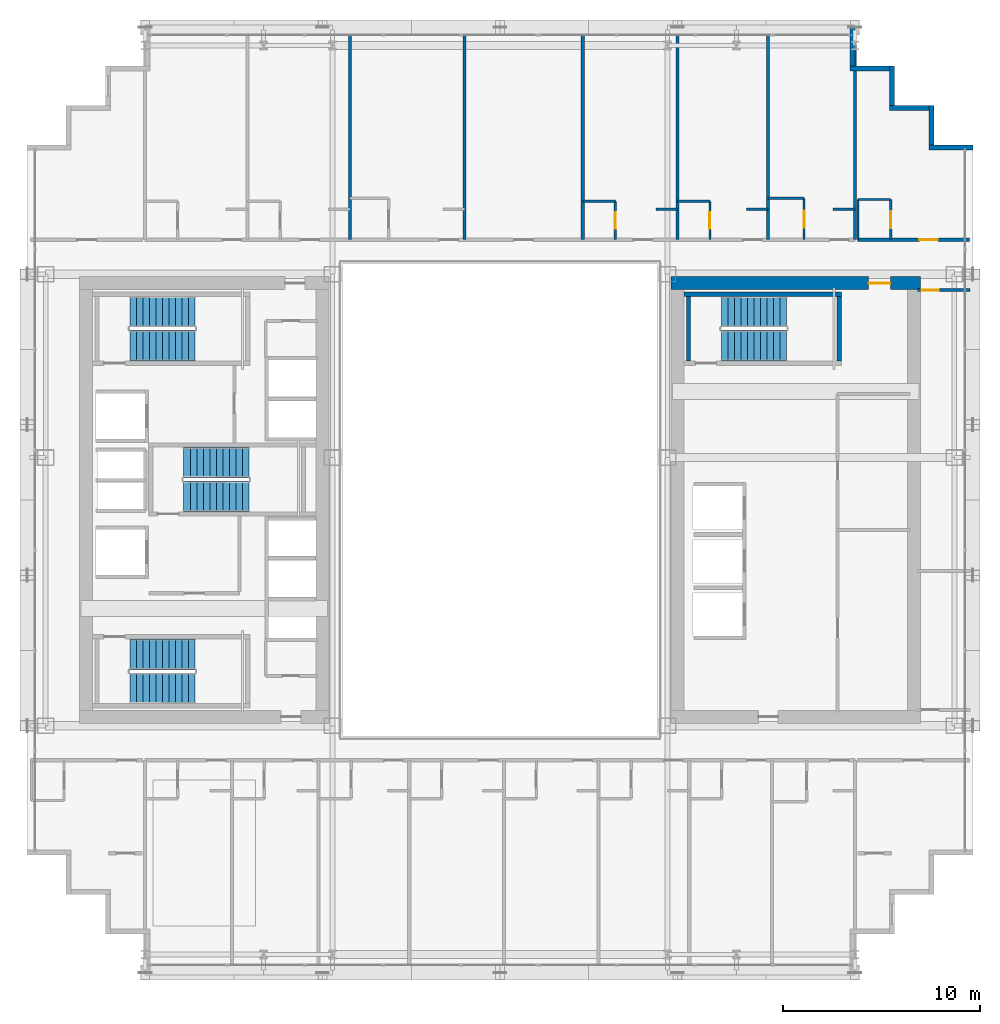
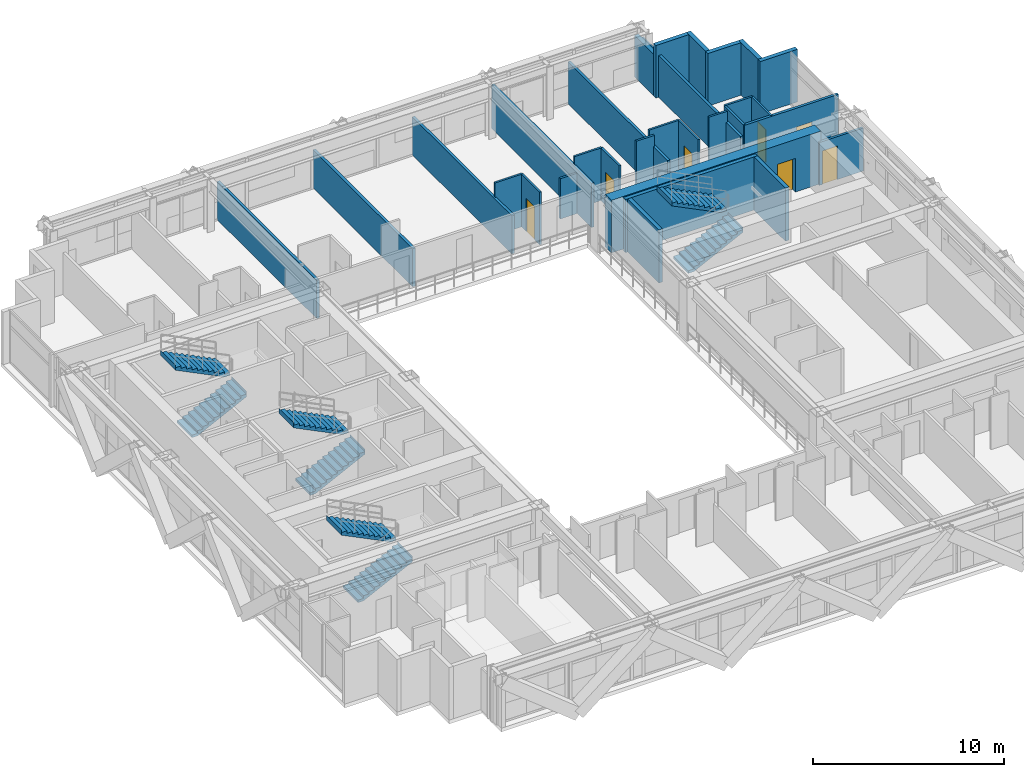
# One storey, part 31 of 35: 30 walls, 8 stair flights, 7 doors, 7 openings, 4 elements without a shape of their own.
"""IFC4 building model written with IfcOpenShell, lengths in metres."""

from ifc_helpers import new_model, si_unit, direction, frame, frame_2d, origin, place, context, subcontext, project, spatial, polyline, rectangle, outline, extrude, source, transform, mapped, material, layer, layer_set, type_object, element, fill, aggregate, save


model = new_model("IFC4")

# Units and contexts
model_context = context("Model", 3, precision=1e-05, world=origin(), true_north=direction((0.0, 1.0)))
body_context = subcontext(model_context, "Body", "Model", "MODEL_VIEW")
ifc_project = project(units=[si_unit("LENGTHUNIT", "METRE"), si_unit("AREAUNIT", "SQUARE_METRE"), si_unit("VOLUMEUNIT", "CUBIC_METRE"), si_unit("PLANEANGLEUNIT", "RADIAN"), si_unit("MASSUNIT", "GRAM", prefix="KILO")], contexts=[model_context])

# Site, building, storey
site_placement = place(None, origin())
site = spatial("IfcSite", under=ifc_project, at=site_placement, CompositionType="ELEMENT")
building_placement = place(site_placement, origin())
building = spatial("IfcBuilding", under=site, at=building_placement, Name="Ocotamira Hotel", CompositionType="ELEMENT")
storey_placement = place(building_placement, frame((0.0, 0.0, 100.800048828125)))
storey = spatial("IfcBuildingStorey", under=building, at=storey_placement, Name="L24", CompositionType="ELEMENT", Elevation=100.800048828125)

# Wall, opening, door
ifc_material_1 = material(Name="Concrete C60/75", Category="concrete")
ifc_layer_1 = layer(ifc_material_1, 0.64990234375)
ifc_layer_set_1 = layer_set([ifc_layer_1], Name="Concrete C60/75")
wall_type_1 = type_object("IfcWallType", Name="WL-CORE-650", PredefinedType="SHEAR", material=ifc_layer_set_1)
wall_1_placement = place(storey_placement, frame((40.675048828125, 37.0, 0.0), z_axis=(0.0, 0.0, 1.0), x_axis=(1.0, 0.0, 0.0)))
wall_1 = element("IfcWall", 1, at=wall_1_placement, inside=storey, type_object=wall_type_1, Name="L24 Shear Core Wall ECORE-N", PredefinedType="SHEAR", context=body_context, shape_type="SweptSolid", body=[
    extrude(rectangle(XDim=12.64990234375, YDim=0.64990234375, at=frame_2d((6.324951171875, 0.0))), origin(), (0.0, 0.0, 1.0), 3.35986328125),
])
opening_1_placement = place(wall_1_placement, frame((10.02490234375, 0.0, 0.0)))
opening_1 = element("IfcOpeningElement", 2, at=opening_1_placement, cuts=wall_1, Name="Opening D-FR1", PredefinedType="OPENING", context=body_context, shape_type="SweptSolid", body=[
    extrude(rectangle(XDim=1.10009765625, YDim=2.14990234375, at=frame_2d((0.550048828125, 1.074951171875))), frame((0.0, 0.3349609375, 0.0), z_axis=(0.0, -1.0, 0.0), x_axis=(1.0, 0.0, 0.0)), (0.0, 0.0, 1.0), 0.669921875),
])
ifc_material_2 = material(Name="Fire-rated acoustic timber-veneer door", Category="wood")
door_type_1 = type_object("IfcDoorType", Name="DR-FIRE-1100", OperationType="NOTDEFINED", PredefinedType="DOOR", material=ifc_material_2)
shared_shape_1 = source(origin(), body_context, "Body", "SweptSolid", [
    extrude(rectangle(XDim=1.10009765625, YDim=2.14990234375, at=frame_2d((0.550048828125, 1.074951171875))), frame((0.0, 0.02490234375, 0.0), z_axis=(0.0, -1.0, 0.0), x_axis=(1.0, 0.0, 0.0)), (0.0, 0.0, 1.0), 0.050048828125),
])
door_1_placement = place(opening_1_placement, origin())
door_1 = element("IfcDoor", 3, at=door_1_placement, inside=storey, type_object=door_type_1, Name="L24 Door ID-L24-ELOB-N-D [ID-L24-ELOB-N-D]", OperationType="SINGLE_SWING_LEFT", OverallHeight=2.14990234375, OverallWidth=1.10009765625, PredefinedType="DOOR", context=body_context, shape_type="MappedRepresentation", body=[
    mapped(shared_shape_1, transform((0.0, 0.0, 0.0), scale=1.0)),
])
fill(opening_1, door_1)

# Walls
ifc_material_3 = material(Name="Precast concrete C45/55", Category="concrete")
ifc_layer_2 = layer(ifc_material_3, 0.25)
ifc_layer_set_2 = layer_set([ifc_layer_2], Name="Precast concrete C45/55")
wall_type_2 = type_object("IfcWallType", Name="WL-EXT-SER-250", PredefinedType="SOLIDWALL", material=ifc_layer_set_2)
wall_2_placement = place(storey_placement, frame((56.0, 43.875, 0.0), z_axis=(0.0, 0.0, 1.0), x_axis=(-1.0, 0.0, 0.0)))
element("IfcWall", 4, at=wall_2_placement, inside=storey, type_object=wall_type_2, Name="L24 Serrated Corner Wall 07", PredefinedType="SOLIDWALL", context=body_context, shape_type="SweptSolid", body=[
    extrude(rectangle(XDim=2.25, YDim=0.25, at=frame_2d((1.125, 0.0))), origin(), (0.0, 0.0, 1.0), 3.35986328125),
])
for number, where, z_axis, x_axis, name in (
    (5, (53.875, 44.0, 0.0), (0.0, 0.0, 1.0), (0.0, 1.0, 0.0), "L24 Serrated Corner Wall 08"),
    (6, (53.75, 45.875, 0.0), (0.0, 0.0, 1.0), (-1.0, 0.0, 0.0), "L24 Serrated Corner Wall 09"),
    (7, (51.875, 46.0, 0.0), (0.0, 0.0, 1.0), (0.0, 1.0, 0.0), "L24 Serrated Corner Wall 10"),
    (8, (51.75, 47.875, 0.0), (0.0, 0.0, 1.0), (-1.0, 0.0, 0.0), "L24 Serrated Corner Wall 11"),
):
    element("IfcWall", number, at=place(storey_placement, frame(where, z_axis=z_axis, x_axis=x_axis)), inside=storey, type_object=wall_type_2, Name=name, PredefinedType="SOLIDWALL", context=body_context, shape_type="SweptSolid", body=[
        extrude(rectangle(XDim=2.0, YDim=0.25, at=frame_2d((1.0, 0.0))), origin(), (0.0, 0.0, 1.0), 3.35986328125),
    ])
wall_3_placement = place(storey_placement, frame((49.875, 48.0, 0.0), z_axis=(0.0, 0.0, 1.0), x_axis=(0.0, 1.0, 0.0)))
element("IfcWall", 9, at=wall_3_placement, inside=storey, type_object=wall_type_2, Name="L24 Serrated Corner Wall 12", PredefinedType="SOLIDWALL", context=body_context, shape_type="SweptSolid", body=[
    extrude(rectangle(XDim=2.0, YDim=0.25, at=frame_2d((1.0, 0.0))), origin(), (0.0, 0.0, 1.0), 2.6669921875),
])

# Wall, opening, door
ifc_material_4 = material(Name="Acoustic double-layer fire gypsum board partition", Category="gypsum")
ifc_layer_3 = layer(ifc_material_4, 0.159912109375)
ifc_layer_set_3 = layer_set([ifc_layer_3], Name="Acoustic double-layer fire gypsum board partition")
wall_type_3 = type_object("IfcWallType", Name="WL-FIRE-160", PredefinedType="PARTITIONING", material=ifc_layer_set_3)
wall_4_placement = place(storey_placement, frame((50.1201171875, 39.199951171875, 0.0), z_axis=(0.0, 0.0, 1.0), x_axis=(1.0, 0.0, 0.0)))
wall_4 = element("IfcWall", 10, at=wall_4_placement, inside=storey, type_object=wall_type_3, Name="L24 Interior Wall PW-L24-Z2A-CNE-CW", PredefinedType="PARTITIONING", context=body_context, shape_type="SweptSolid", body=[
    extrude(rectangle(XDim=5.679931640625, YDim=0.159912109375, at=frame_2d((2.83984375, 0.0))), origin(), (0.0, 0.0, 1.0), 3.35986328125),
])
opening_2_placement = place(wall_4_placement, frame((3.14990234375, 0.0, 0.0)))
opening_2 = element("IfcOpeningElement", 11, at=opening_2_placement, cuts=wall_4, Name="Opening D-GR1", PredefinedType="OPENING", context=body_context, shape_type="SweptSolid", body=[
    extrude(rectangle(XDim=0.93994140625, YDim=2.14990234375, at=frame_2d((0.469970703125, 1.074951171875))), frame((0.0, 0.08984375, 0.0), z_axis=(0.0, -1.0, 0.0), x_axis=(1.0, 0.0, 0.0)), (0.0, 0.0, 1.0), 0.179931640625),
])
ifc_material_5 = material(Name="Solid-core walnut suite entrance fire door", Category="wood")
door_type_2 = type_object("IfcDoorType", Name="DR-GUEST-940", OperationType="NOTDEFINED", PredefinedType="DOOR", material=ifc_material_5)
shared_shape_2 = source(origin(), body_context, "Body", "SweptSolid", [
    extrude(rectangle(XDim=0.93994140625, YDim=2.14990234375, at=frame_2d((0.469970703125, 1.074951171875))), frame((0.0, 0.02490234375, 0.0), z_axis=(0.0, -1.0, 0.0), x_axis=(1.0, 0.0, 0.0)), (0.0, 0.0, 1.0), 0.050048828125),
])
door_2_placement = place(opening_2_placement, origin())
door_2 = element("IfcDoor", 12, at=door_2_placement, inside=storey, type_object=door_type_2, Name="L24 Door ID-L24-Z2A-CNE-CD [ID-L24-Z2A-CNE-CD]", OperationType="SINGLE_SWING_RIGHT", OverallHeight=2.14990234375, OverallWidth=0.93994140625, PredefinedType="DOOR", context=body_context, shape_type="MappedRepresentation", body=[
    mapped(shared_shape_2, transform((0.0, 0.0, 0.0), scale=1.0)),
])
fill(opening_2, door_2)

ifc_material_6 = material(Name="Moisture-resistant en-suite tile and gypsum partition", Category="gypsum")
ifc_layer_4 = layer(ifc_material_6, 0.1201171875)
ifc_layer_set_4 = layer_set([ifc_layer_4], Name="Moisture-resistant en-suite tile and gypsum partition")
wall_type_4 = type_object("IfcWallType", Name="WL-PART-120", PredefinedType="PARTITIONING", material=ifc_layer_set_4)
wall_5_placement = place(storey_placement, frame((51.81005859375, 39.199951171875, 0.0), z_axis=(0.0, 0.0, 1.0), x_axis=(0.0, 1.0, 0.0)))
wall_5 = element("IfcWall", 13, at=wall_5_placement, inside=storey, type_object=wall_type_4, Name="L24 Interior Wall PW-L24-Z2A-CNE-BE", PredefinedType="PARTITIONING", context=body_context, shape_type="SweptSolid", body=[
    extrude(rectangle(XDim=2.0400390625, YDim=0.1201171875, at=frame_2d((1.02001953125, 0.0))), origin(), (0.0, 0.0, 1.0), 3.35986328125),
])
opening_3_placement = place(wall_5_placement, frame((0.590087890625, 0.0, 0.0)))
opening_3 = element("IfcOpeningElement", 14, at=opening_3_placement, cuts=wall_5, Name="Opening D-BA1", PredefinedType="OPENING", context=body_context, shape_type="SweptSolid", body=[
    extrude(rectangle(XDim=0.860107421875, YDim=2.10009765625, at=frame_2d((0.43017578125, 1.050048828125))), frame((0.0, 0.070068359375, 0.0), z_axis=(0.0, -1.0, 0.0), x_axis=(1.0, 0.0, 0.0)), (0.0, 0.0, 1.0), 0.14013671875),
])
ifc_material_7 = material(Name="Moisture-sealed en-suite timber door", Category="wood")
door_type_3 = type_object("IfcDoorType", Name="DR-BATH-860", OperationType="NOTDEFINED", PredefinedType="DOOR", material=ifc_material_7)
shared_shape_3 = source(origin(), body_context, "Body", "SweptSolid", [
    extrude(rectangle(XDim=0.860107421875, YDim=2.10009765625, at=frame_2d((0.43017578125, 1.050048828125))), frame((0.0, 0.02490234375, 0.0), z_axis=(0.0, -1.0, 0.0), x_axis=(1.0, 0.0, 0.0)), (0.0, 0.0, 1.0), 0.050048828125),
])
door_3_placement = place(opening_3_placement, origin())
door_3 = element("IfcDoor", 15, at=door_3_placement, inside=storey, type_object=door_type_3, Name="L24 Door ID-L24-Z2A-CNE-BD [ID-L24-Z2A-CNE-BD]", OperationType="SINGLE_SWING_LEFT", OverallHeight=2.10009765625, OverallWidth=0.860107421875, PredefinedType="DOOR", context=body_context, shape_type="MappedRepresentation", body=[
    mapped(shared_shape_3, transform((0.0, 0.0, 0.0), scale=1.0)),
])
fill(opening_3, door_3)

# Walls
wall_6_placement = place(storey_placement, frame((50.159912109375, 39.199951171875, 0.0), z_axis=(0.0, 0.0, 1.0), x_axis=(0.0, 1.0, 0.0)))
element("IfcWall", 16, at=wall_6_placement, inside=storey, type_object=wall_type_4, Name="L24 Interior Wall PW-L24-Z2A-CNE-BW", PredefinedType="PARTITIONING", context=body_context, shape_type="SweptSolid", body=[
    extrude(rectangle(XDim=2.0400390625, YDim=0.1201171875, at=frame_2d((1.02001953125, 0.0))), origin(), (0.0, 0.0, 1.0), 3.35986328125),
])
wall_7_placement = place(storey_placement, frame((50.159912109375, 41.239990234375, 0.0), z_axis=(0.0, 0.0, 1.0), x_axis=(1.0, 0.0, 0.0)))
element("IfcWall", 17, at=wall_7_placement, inside=storey, type_object=wall_type_4, Name="L24 Interior Wall PW-L24-Z2A-CNE-BH", PredefinedType="PARTITIONING", context=body_context, shape_type="SweptSolid", body=[
    extrude(rectangle(XDim=1.650146484375, YDim=0.1201171875, at=frame_2d((0.8251953125, 0.0))), origin(), (0.0, 0.0, 1.0), 3.35986328125),
])

# Wall, opening, door
wall_8_placement = place(storey_placement, frame((37.85009765625, 39.199951171875, 0.0), z_axis=(0.0, 0.0, 1.0), x_axis=(0.0, 1.0, 0.0)))
wall_8 = element("IfcWall", 18, at=wall_8_placement, inside=storey, type_object=wall_type_4, Name="L24 Interior Wall PW-L24-Z2AN-BAE5", PredefinedType="PARTITIONING", context=body_context, shape_type="SweptSolid", body=[
    extrude(rectangle(XDim=1.949951171875, YDim=0.1201171875, at=frame_2d((0.97509765625, 0.0))), origin(), (0.0, 0.0, 1.0), 3.35986328125),
])
opening_4_placement = place(wall_8_placement, frame((0.544921875, 0.0, 0.0)))
opening_4 = element("IfcOpeningElement", 19, at=opening_4_placement, cuts=wall_8, Name="Opening D-BA1", PredefinedType="OPENING", context=body_context, shape_type="SweptSolid", body=[
    extrude(rectangle(XDim=0.860107421875, YDim=2.10009765625, at=frame_2d((0.43017578125, 1.050048828125))), frame((0.0, 0.070068359375, 0.0), z_axis=(0.0, -1.0, 0.0), x_axis=(1.0, 0.0, 0.0)), (0.0, 0.0, 1.0), 0.14013671875),
])
door_4_placement = place(opening_4_placement, origin())
door_4 = element("IfcDoor", 20, at=door_4_placement, inside=storey, type_object=door_type_3, Name="L24 Door ID-L24-Z2AN-BAD5 [ID-L24-Z2AN-BAD5]", OperationType="SINGLE_SWING_RIGHT", OverallHeight=2.10009765625, OverallWidth=0.860107421875, PredefinedType="DOOR", context=body_context, shape_type="MappedRepresentation", body=[
    mapped(shared_shape_3, transform((0.0, 0.0, 0.0), scale=1.0)),
])
fill(opening_4, door_4)

# Walls
wall_9_placement = place(storey_placement, frame((36.199951171875, 41.14990234375, 0.0), z_axis=(0.0, 0.0, 1.0), x_axis=(1.0, 0.0, 0.0)))
element("IfcWall", 21, at=wall_9_placement, inside=storey, type_object=wall_type_4, Name="L24 Interior Wall PW-L24-Z2AN-BAN5", PredefinedType="PARTITIONING", context=body_context, shape_type="SweptSolid", body=[
    extrude(rectangle(XDim=1.650146484375, YDim=0.1201171875, at=frame_2d((0.8251953125, 0.0))), origin(), (0.0, 0.0, 1.0), 3.35986328125),
])
wall_10_placement = place(storey_placement, frame((39.89990234375, 40.75, 0.0), z_axis=(0.0, 0.0, 1.0), x_axis=(1.0, 0.0, 0.0)))
element("IfcWall", 22, at=wall_10_placement, inside=storey, type_object=wall_type_4, Name="L24 Interior Wall PW-L24-Z2AN-DRN5", PredefinedType="PARTITIONING", context=body_context, shape_type="SweptSolid", body=[
    extrude(rectangle(XDim=1.10009765625, YDim=0.1201171875, at=frame_2d((0.550048828125, 0.0))), origin(), (0.0, 0.0, 1.0), 2.5810546875),
])

# Wall, opening, door
wall_11_placement = place(storey_placement, frame((42.64990234375, 39.199951171875, 0.0), z_axis=(0.0, 0.0, 1.0), x_axis=(0.0, 1.0, 0.0)))
wall_11 = element("IfcWall", 23, at=wall_11_placement, inside=storey, type_object=wall_type_4, Name="L24 Interior Wall PW-L24-Z2AN-BAE6", PredefinedType="PARTITIONING", context=body_context, shape_type="SweptSolid", body=[
    extrude(rectangle(XDim=1.949951171875, YDim=0.1201171875, at=frame_2d((0.97509765625, 0.0))), origin(), (0.0, 0.0, 1.0), 3.35986328125),
])
opening_5_placement = place(wall_11_placement, frame((0.544921875, 0.0, 0.0)))
opening_5 = element("IfcOpeningElement", 24, at=opening_5_placement, cuts=wall_11, Name="Opening D-BA1", PredefinedType="OPENING", context=body_context, shape_type="SweptSolid", body=[
    extrude(rectangle(XDim=0.860107421875, YDim=2.10009765625, at=frame_2d((0.43017578125, 1.050048828125))), frame((0.0, 0.070068359375, 0.0), z_axis=(0.0, -1.0, 0.0), x_axis=(1.0, 0.0, 0.0)), (0.0, 0.0, 1.0), 0.14013671875),
])
door_5_placement = place(opening_5_placement, origin())
door_5 = element("IfcDoor", 25, at=door_5_placement, inside=storey, type_object=door_type_3, Name="L24 Door ID-L24-Z2AN-BAD6 [ID-L24-Z2AN-BAD6]", OperationType="SINGLE_SWING_LEFT", OverallHeight=2.10009765625, OverallWidth=0.860107421875, PredefinedType="DOOR", context=body_context, shape_type="MappedRepresentation", body=[
    mapped(shared_shape_3, transform((0.0, 0.0, 0.0), scale=1.0)),
])
fill(opening_5, door_5)

# Walls
wall_12_placement = place(storey_placement, frame((41.0, 41.14990234375, 0.0), z_axis=(0.0, 0.0, 1.0), x_axis=(1.0, 0.0, 0.0)))
element("IfcWall", 26, at=wall_12_placement, inside=storey, type_object=wall_type_4, Name="L24 Interior Wall PW-L24-Z2AN-BAN6", PredefinedType="PARTITIONING", context=body_context, shape_type="SweptSolid", body=[
    extrude(rectangle(XDim=1.64990234375, YDim=0.1201171875, at=frame_2d((0.824951171875, 0.0))), origin(), (0.0, 0.0, 1.0), 3.35986328125),
])
wall_13_placement = place(storey_placement, frame((44.5, 40.75, 0.0), z_axis=(0.0, 0.0, 1.0), x_axis=(1.0, 0.0, 0.0)))
element("IfcWall", 27, at=wall_13_placement, inside=storey, type_object=wall_type_4, Name="L24 Interior Wall PW-L24-Z2AN-DRN6", PredefinedType="PARTITIONING", context=body_context, shape_type="SweptSolid", body=[
    extrude(rectangle(XDim=1.10009765625, YDim=0.1201171875, at=frame_2d((0.550048828125, 0.0))), origin(), (0.0, 0.0, 1.0), 3.35986328125),
])

# Wall, opening, door
wall_14_placement = place(storey_placement, frame((47.419921875, 39.199951171875, 0.0), z_axis=(0.0, 0.0, 1.0), x_axis=(0.0, 1.0, 0.0)))
wall_14 = element("IfcWall", 28, at=wall_14_placement, inside=storey, type_object=wall_type_4, Name="L24 Interior Wall PW-L24-Z2AN-BAE7", PredefinedType="PARTITIONING", context=body_context, shape_type="SweptSolid", body=[
    extrude(rectangle(XDim=2.10009765625, YDim=0.1201171875, at=frame_2d((1.050048828125, 0.0))), origin(), (0.0, 0.0, 1.0), 3.35986328125),
])
opening_6_placement = place(wall_14_placement, frame((0.6201171875, 0.0, 0.0)))
opening_6 = element("IfcOpeningElement", 29, at=opening_6_placement, cuts=wall_14, Name="Opening D-BA1", PredefinedType="OPENING", context=body_context, shape_type="SweptSolid", body=[
    extrude(rectangle(XDim=0.860107421875, YDim=2.10009765625, at=frame_2d((0.43017578125, 1.050048828125))), frame((0.0, 0.070068359375, 0.0), z_axis=(0.0, -1.0, 0.0), x_axis=(1.0, 0.0, 0.0)), (0.0, 0.0, 1.0), 0.14013671875),
])
door_6_placement = place(opening_6_placement, origin())
door_6 = element("IfcDoor", 30, at=door_6_placement, inside=storey, type_object=door_type_3, Name="L24 Door ID-L24-Z2AN-BAD7 [ID-L24-Z2AN-BAD7]", OperationType="SINGLE_SWING_RIGHT", OverallHeight=2.10009765625, OverallWidth=0.860107421875, PredefinedType="DOOR", context=body_context, shape_type="MappedRepresentation", body=[
    mapped(shared_shape_3, transform((0.0, 0.0, 0.0), scale=1.0)),
])
fill(opening_6, door_6)

# Walls
wall_15_placement = place(storey_placement, frame((45.60009765625, 41.300048828125, 0.0), z_axis=(0.0, 0.0, 1.0), x_axis=(1.0, 0.0, 0.0)))
element("IfcWall", 31, at=wall_15_placement, inside=storey, type_object=wall_type_4, Name="L24 Interior Wall PW-L24-Z2AN-BAN7", PredefinedType="PARTITIONING", context=body_context, shape_type="SweptSolid", body=[
    extrude(rectangle(XDim=1.81982421875, YDim=0.1201171875, at=frame_2d((0.909912109375, 0.0))), origin(), (0.0, 0.0, 1.0), 3.35986328125),
])
wall_16_placement = place(storey_placement, frame((48.89990234375, 40.75, 0.0), z_axis=(0.0, 0.0, 1.0), x_axis=(1.0, 0.0, 0.0)))
element("IfcWall", 32, at=wall_16_placement, inside=storey, type_object=wall_type_4, Name="L24 Interior Wall PW-L24-Z2AN-DRN7", PredefinedType="PARTITIONING", context=body_context, shape_type="SweptSolid", body=[
    extrude(rectangle(XDim=1.10009765625, YDim=0.1201171875, at=frame_2d((0.550048828125, 0.0))), origin(), (0.0, 0.0, 1.0), 3.35986328125),
])

# Wall, opening, door
ifc_material_8 = material(Name="Acoustic hospitality gypsum board partition", Category="gypsum")
ifc_layer_5 = layer(ifc_material_8, 0.14990234375)
ifc_layer_set_5 = layer_set([ifc_layer_5], Name="Acoustic hospitality gypsum board partition")
wall_type_5 = type_object("IfcWallType", Name="WL-PART-150", PredefinedType="PARTITIONING", material=ifc_layer_set_5)
wall_17_placement = place(storey_placement, frame((53.179931640625, 36.639892578125, 0.0), z_axis=(0.0, 0.0, 1.0), x_axis=(1.0, 0.0, 0.0)))
wall_17 = element("IfcWall", 33, at=wall_17_placement, inside=storey, type_object=wall_type_5, Name="L24 Interior Wall PW-L24-Z2A-EF-WN", PredefinedType="PARTITIONING", context=body_context, shape_type="SweptSolid", body=[
    extrude(rectangle(XDim=2.66015625, YDim=0.14990234375, at=frame_2d((1.330078125, 0.0))), origin(), (0.0, 0.0, 1.0), 2.742919921875),
])
opening_7_placement = place(wall_17_placement, frame((0.199951171875, 0.0, 0.0)))
opening_7 = element("IfcOpeningElement", 34, at=opening_7_placement, cuts=wall_17, Name="Opening D-SV2", PredefinedType="OPENING", context=body_context, shape_type="SweptSolid", body=[
    extrude(rectangle(XDim=0.8798828125, YDim=2.14990234375, at=frame_2d((0.43994140625, 1.074951171875))), frame((0.0, 0.0849609375, 0.0), z_axis=(0.0, -1.0, 0.0), x_axis=(1.0, 0.0, 0.0)), (0.0, 0.0, 1.0), 0.169921875),
])
ifc_material_9 = material(Name="Fire-rated painted steel service door", Category="steel")
door_type_4 = type_object("IfcDoorType", Name="DR-SERV-880", OperationType="NOTDEFINED", PredefinedType="DOOR", material=ifc_material_9)
shared_shape_4 = source(origin(), body_context, "Body", "SweptSolid", [
    extrude(rectangle(XDim=0.8798828125, YDim=2.14990234375, at=frame_2d((0.43994140625, 1.074951171875))), frame((0.0, 0.02490234375, 0.0), z_axis=(0.0, -1.0, 0.0), x_axis=(1.0, 0.0, 0.0)), (0.0, 0.0, 1.0), 0.050048828125),
])
door_7_placement = place(opening_7_placement, origin())
door_7 = element("IfcDoor", 35, at=door_7_placement, inside=storey, type_object=door_type_4, Name="L24 Door ID-L24-Z2A-EF-DN [ID-L24-Z2A-EF-DN]", OperationType="SINGLE_SWING_LEFT", OverallHeight=2.14990234375, OverallWidth=0.8798828125, PredefinedType="DOOR", context=body_context, shape_type="MappedRepresentation", body=[
    mapped(shared_shape_4, transform((0.0, 0.0, 0.0), scale=1.0)),
])
fill(opening_7, door_7)

# Walls
ifc_material_10 = material(Name="Acoustic double-stud hospitality gypsum partition", Category="gypsum")
ifc_layer_6 = layer(ifc_material_10, 0.159912109375)
ifc_layer_set_6 = layer_set([ifc_layer_6], Name="Acoustic double-stud hospitality gypsum partition")
wall_type_6 = type_object("IfcWallType", Name="WL-PART-160", PredefinedType="PARTITIONING", material=ifc_layer_set_6)
wall_18_placement = place(storey_placement, frame((50.0, 39.199951171875, 0.0), z_axis=(0.0, 0.0, 1.0), x_axis=(0.0, 1.0, 0.0)))
element("IfcWall", 36, at=wall_18_placement, inside=storey, type_object=wall_type_6, Name="L24 Interior Wall PW-L24-Z2AN-PWEND", PredefinedType="PARTITIONING", context=body_context, shape_type="SweptSolid", body=[
    extrude(rectangle(XDim=10.43994140625, YDim=0.159912109375, at=frame_2d((5.219970703125, 0.0))), origin(), (0.0, 0.0, 1.0), 2.6669921875),
])
for number, where, z_axis, x_axis, name in (
    (37, (24.39990234375, 39.199951171875, 0.0), (0.0, 0.0, 1.0), (0.0, 1.0, 0.0), "L24 Interior Wall PW-L24-Z2AN-PW2"),
    (38, (36.199951171875, 39.199951171875, 0.0), (0.0, 0.0, 1.0), (0.0, 1.0, 0.0), "L24 Interior Wall PW-L24-Z2AN-PW4"),
):
    element("IfcWall", number, at=place(storey_placement, frame(where, z_axis=z_axis, x_axis=x_axis)), inside=storey, type_object=wall_type_6, Name=name, PredefinedType="PARTITIONING", context=body_context, shape_type="SweptSolid", body=[
        extrude(rectangle(XDim=10.43994140625, YDim=0.159912109375, at=frame_2d((5.219970703125, 0.0))), origin(), (0.0, 0.0, 1.0), 2.432861328125),
    ])
wall_19_placement = place(storey_placement, frame((41.0, 39.199951171875, 0.0), z_axis=(0.0, 0.0, 1.0), x_axis=(0.0, 1.0, 0.0)))
element("IfcWall", 39, at=wall_19_placement, inside=storey, type_object=wall_type_6, Name="L24 Interior Wall PW-L24-Z2AN-PW5", PredefinedType="PARTITIONING", context=body_context, shape_type="SweptSolid", body=[
    extrude(rectangle(XDim=10.43994140625, YDim=0.159912109375, at=frame_2d((5.219970703125, 0.0))), origin(), (0.0, 0.0, 1.0), 2.822998046875),
])
wall_20_placement = place(storey_placement, frame((45.60009765625, 39.199951171875, 0.0), z_axis=(0.0, 0.0, 1.0), x_axis=(0.0, 1.0, 0.0)))
element("IfcWall", 40, at=wall_20_placement, inside=storey, type_object=wall_type_6, Name="L24 Interior Wall PW-L24-Z2AN-PW6", PredefinedType="PARTITIONING", context=body_context, shape_type="SweptSolid", body=[
    extrude(rectangle(XDim=10.43994140625, YDim=0.159912109375, at=frame_2d((5.219970703125, 0.0))), origin(), (0.0, 0.0, 1.0), 2.6669921875),
])
ifc_material_11 = material(Name="Double-stud suite party gypsum partition", Category="gypsum")
ifc_layer_7 = layer(ifc_material_11, 0.175048828125)
ifc_layer_set_7 = layer_set([ifc_layer_7], Name="Double-stud suite party gypsum partition")
wall_type_7 = type_object("IfcWallType", Name="WL-PART-175", PredefinedType="PARTITIONING", material=ifc_layer_set_7)
wall_21_placement = place(storey_placement, frame((30.199951171875, 39.199951171875, 0.0), z_axis=(0.0, 0.0, 1.0), x_axis=(0.0, 1.0, 0.0)))
element("IfcWall", 41, at=wall_21_placement, inside=storey, type_object=wall_type_7, Name="L24 Interior Wall PW-L24-Z2AN-PW3", PredefinedType="PARTITIONING", context=body_context, shape_type="SweptSolid", body=[
    extrude(rectangle(XDim=10.43994140625, YDim=0.175048828125, at=frame_2d((5.219970703125, 0.0))), origin(), (0.0, 0.0, 1.0), 2.432861328125),
])
ifc_material_12 = material(Name="Concrete C50/60", Category="concrete")
ifc_layer_8 = layer(ifc_material_12, 0.219970703125)
ifc_layer_set_8 = layer_set([ifc_layer_8], Name="Concrete C50/60")
wall_type_8 = type_object("IfcWallType", Name="WL-STAIR-220", PredefinedType="SHEAR", material=ifc_layer_set_8)
wall_22_placement = place(storey_placement, frame((41.324951171875, 36.43994140625, 0.0), z_axis=(0.0, 0.0, 1.0), x_axis=(1.0, 0.0, 0.0)))
element("IfcWall", 42, at=wall_22_placement, inside=storey, type_object=wall_type_8, Name="L24 Stair Shaft Structural Wall ST-4-N", PredefinedType="SHEAR", context=body_context, shape_type="SweptSolid", body=[
    extrude(rectangle(XDim=7.985107421875, YDim=0.219970703125, at=frame_2d((3.99267578125, 0.0))), origin(), (0.0, 0.0, 1.0), 3.39990234375),
])
for number, where, z_axis, x_axis, name in (
    (43, (41.56005859375, 33.050048828125, 0.0), (0.0, 0.0, 1.0), (0.0, 1.0, 0.0), "L24 Stair Shaft Structural Wall ST-4-W"),
    (44, (49.199951171875, 33.050048828125, 0.0), (0.0, 0.0, 1.0), (0.0, 1.0, 0.0), "L24 Stair Shaft Structural Wall ST-4-E"),
):
    element("IfcWall", number, at=place(storey_placement, frame(where, z_axis=z_axis, x_axis=x_axis)), inside=storey, type_object=wall_type_8, Name=name, PredefinedType="SHEAR", context=body_context, shape_type="SweptSolid", body=[
        extrude(rectangle(XDim=3.280029296875, YDim=0.219970703125, at=frame_2d((1.64013671875, 0.0))), origin(), (0.0, 0.0, 1.0), 3.39990234375),
    ])

# Stair, stair flights
ifc_material_13 = material(Name="Concrete C40/50", Category="concrete")
stair_type = type_object("IfcStairType", Name="ST-CORE-1560", PredefinedType="HALF_TURN_STAIR", material=ifc_material_13)
stair_1_placement = place(storey_placement, origin())
stair_1 = element("IfcStair", 45, at=stair_1_placement, inside=storey, type_object=stair_type, Name="L24 Exit Stair ST-1", PredefinedType="HALF_TURN_STAIR")
stair_flight_type = type_object("IfcStairFlightType", Name="STF-CORE-1560", PredefinedType="STRAIGHT", material=ifc_material_13)
shared_shape_5 = source(origin(), body_context, "Body", "SweptSolid", [
    extrude(outline(polyline([(-0.00390625, 0.0), (-0.00390625, 0.16357421875), (0.330078125, 0.16357421875), (0.330078125, 0.327392578125), (0.659912109375, 0.327392578125), (0.659912109375, 0.490966796875), (0.989990234375, 0.490966796875), (0.989990234375, 0.654541015625), (1.320068359375, 0.654541015625), (1.320068359375, 0.818115234375), (1.64990234375, 0.818115234375), (1.64990234375, 0.98193359375), (1.97998046875, 0.98193359375), (1.97998046875, 1.1455078125), (2.31005859375, 1.1455078125), (2.31005859375, 1.30908203125), (2.639892578125, 1.30908203125), (2.639892578125, 1.47265625), (2.969970703125, 1.47265625), (2.969970703125, 1.636474609375), (3.300048828125, 1.636474609375), (3.300048828125, 1.800048828125), (3.303955078125, 1.800048828125), (3.303955078125, 1.468994140625), (0.33740234375, 0.0), (-0.00390625, 0.0)])), frame((0.0, 0.780029296875, 0.0), z_axis=(0.0, -1.0, 0.0), x_axis=(1.0, 0.0, 0.0)), (0.0, 0.0, 1.0), 1.56005859375),
])
stair_flight_1_placement = place(storey_placement, frame((13.22998046875, 16.449951171875, 0.0), z_axis=(0.0, 0.0, 1.0), x_axis=(1.0, 0.0, 0.0)))
stair_flight_1 = element("IfcStairFlight", 46, at=stair_flight_1_placement, type_object=stair_flight_type, Name="ST-1 flight 1", NumberOfRisers=11, NumberOfTreads=10, PredefinedType="STRAIGHT", RiserHeight=0.163636364, TreadLength=0.33, context=body_context, shape_type="MappedRepresentation", body=[
    mapped(shared_shape_5, transform((0.0, 0.0, 0.0), scale=1.0)),
])
stair_flight_2_placement = place(storey_placement, frame((16.530029296875, 18.169921875, 1.800048828125), z_axis=(0.0, 0.0, 1.0), x_axis=(-1.0, 0.0, 0.0)))
stair_flight_2 = element("IfcStairFlight", 47, at=stair_flight_2_placement, type_object=stair_flight_type, Name="ST-1 flight 2", NumberOfRisers=11, NumberOfTreads=10, PredefinedType="STRAIGHT", RiserHeight=0.163636364, TreadLength=0.33, context=body_context, shape_type="MappedRepresentation", body=[
    mapped(shared_shape_5, transform((0.0, 0.0, 0.0), scale=1.0)),
])
aggregate(stair_1, [stair_flight_1, stair_flight_2])

stair_2_placement = place(storey_placement, origin())
stair_2 = element("IfcStair", 48, at=stair_2_placement, inside=storey, type_object=stair_type, Name="L24 Exit Stair ST-2", PredefinedType="HALF_TURN_STAIR")
stair_flight_3_placement = place(storey_placement, frame((13.22998046875, 33.830078125, 0.0), z_axis=(0.0, 0.0, 1.0), x_axis=(1.0, 0.0, 0.0)))
stair_flight_3 = element("IfcStairFlight", 49, at=stair_flight_3_placement, type_object=stair_flight_type, Name="ST-2 flight 1", NumberOfRisers=11, NumberOfTreads=10, PredefinedType="STRAIGHT", RiserHeight=0.163636364, TreadLength=0.33, context=body_context, shape_type="MappedRepresentation", body=[
    mapped(shared_shape_5, transform((0.0, 0.0, 0.0), scale=1.0)),
])
stair_flight_4_placement = place(storey_placement, frame((16.530029296875, 35.550048828125, 1.800048828125), z_axis=(0.0, 0.0, 1.0), x_axis=(-1.0, 0.0, 0.0)))
stair_flight_4 = element("IfcStairFlight", 50, at=stair_flight_4_placement, type_object=stair_flight_type, Name="ST-2 flight 2", NumberOfRisers=11, NumberOfTreads=10, PredefinedType="STRAIGHT", RiserHeight=0.163636364, TreadLength=0.33, context=body_context, shape_type="MappedRepresentation", body=[
    mapped(shared_shape_5, transform((0.0, 0.0, 0.0), scale=1.0)),
])
aggregate(stair_2, [stair_flight_3, stair_flight_4])

stair_3_placement = place(storey_placement, origin())
stair_3 = element("IfcStair", 51, at=stair_3_placement, inside=storey, type_object=stair_type, Name="L24 Exit Stair ST-3", PredefinedType="HALF_TURN_STAIR")
stair_flight_5_placement = place(storey_placement, frame((15.9599609375, 26.179931640625, 0.0), z_axis=(0.0, 0.0, 1.0), x_axis=(1.0, 0.0, 0.0)))
stair_flight_5 = element("IfcStairFlight", 52, at=stair_flight_5_placement, type_object=stair_flight_type, Name="ST-3 flight 1", NumberOfRisers=11, NumberOfTreads=10, PredefinedType="STRAIGHT", RiserHeight=0.163636364, TreadLength=0.33, context=body_context, shape_type="MappedRepresentation", body=[
    mapped(shared_shape_5, transform((0.0, 0.0, 0.0), scale=1.0)),
])
stair_flight_6_placement = place(storey_placement, frame((19.260009765625, 27.89990234375, 1.800048828125), z_axis=(0.0, 0.0, 1.0), x_axis=(-1.0, 0.0, 0.0)))
stair_flight_6 = element("IfcStairFlight", 53, at=stair_flight_6_placement, type_object=stair_flight_type, Name="ST-3 flight 2", NumberOfRisers=11, NumberOfTreads=10, PredefinedType="STRAIGHT", RiserHeight=0.163636364, TreadLength=0.33, context=body_context, shape_type="MappedRepresentation", body=[
    mapped(shared_shape_5, transform((0.0, 0.0, 0.0), scale=1.0)),
])
aggregate(stair_3, [stair_flight_5, stair_flight_6])

stair_4_placement = place(storey_placement, origin())
stair_4 = element("IfcStair", 54, at=stair_4_placement, inside=storey, type_object=stair_type, Name="L24 Exit Stair ST-4", PredefinedType="HALF_TURN_STAIR")
stair_flight_7_placement = place(storey_placement, frame((43.22998046875, 33.830078125, 0.0), z_axis=(0.0, 0.0, 1.0), x_axis=(1.0, 0.0, 0.0)))
stair_flight_7 = element("IfcStairFlight", 55, at=stair_flight_7_placement, type_object=stair_flight_type, Name="ST-4 flight 1", NumberOfRisers=11, NumberOfTreads=10, PredefinedType="STRAIGHT", RiserHeight=0.163636364, TreadLength=0.33, context=body_context, shape_type="MappedRepresentation", body=[
    mapped(shared_shape_5, transform((0.0, 0.0, 0.0), scale=1.0)),
])
stair_flight_8_placement = place(storey_placement, frame((46.530029296875, 35.550048828125, 1.800048828125), z_axis=(0.0, 0.0, 1.0), x_axis=(-1.0, 0.0, 0.0)))
stair_flight_8 = element("IfcStairFlight", 56, at=stair_flight_8_placement, type_object=stair_flight_type, Name="ST-4 flight 2", NumberOfRisers=11, NumberOfTreads=10, PredefinedType="STRAIGHT", RiserHeight=0.163636364, TreadLength=0.33, context=body_context, shape_type="MappedRepresentation", body=[
    mapped(shared_shape_5, transform((0.0, 0.0, 0.0), scale=1.0)),
])
aggregate(stair_4, [stair_flight_7, stair_flight_8])

save(model, "model.ifc")
